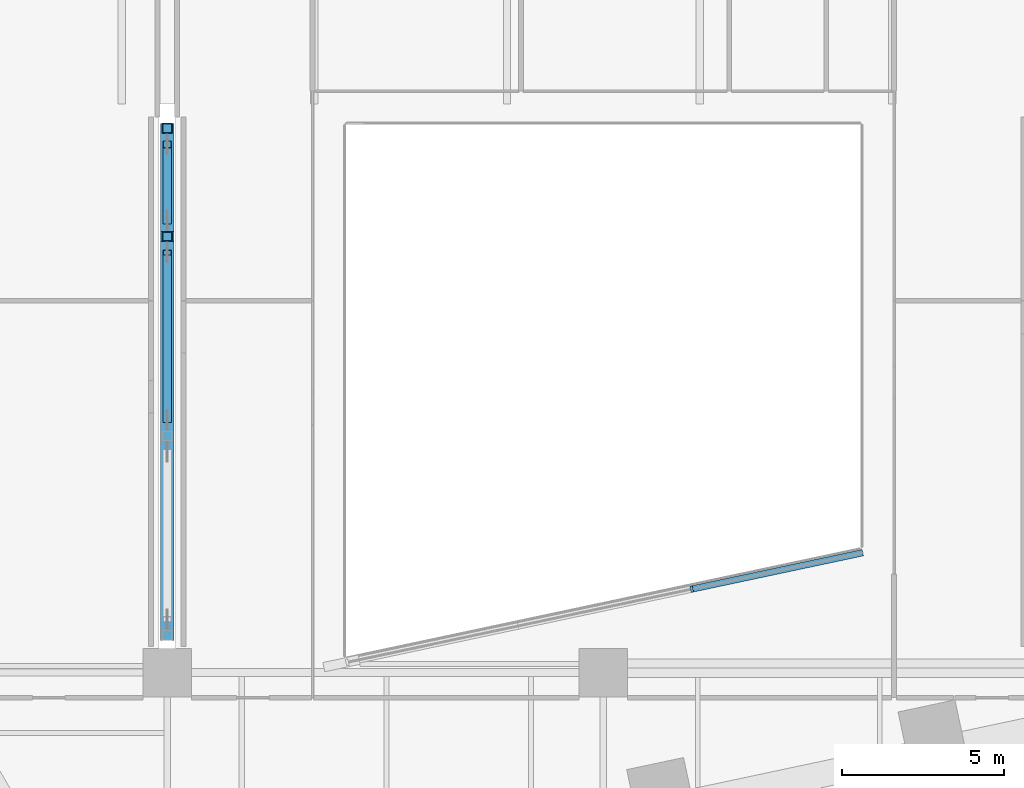
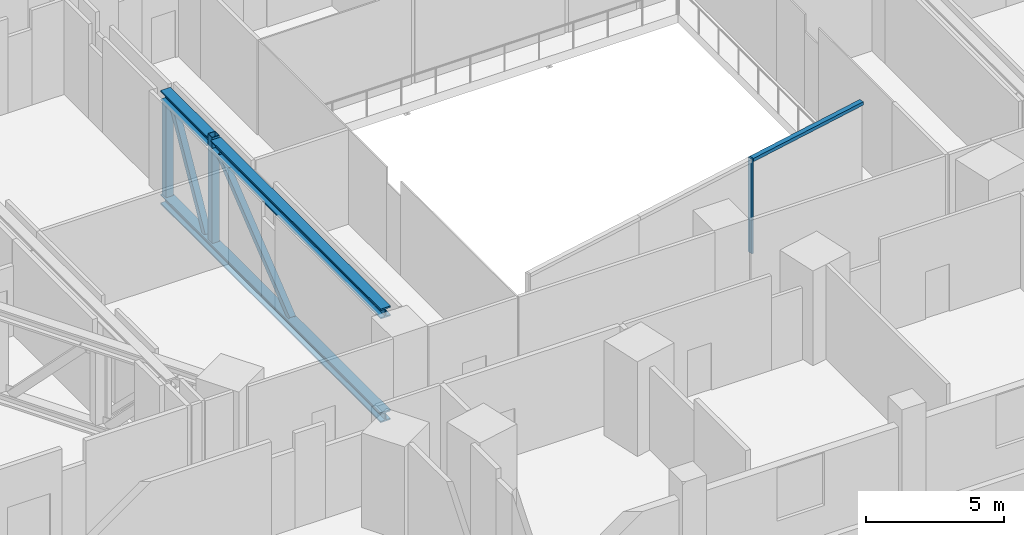
# One storey, part 4 of 32: 9 members, 1 element without a shape of its own.
"""IFC4 building model written with IfcOpenShell, lengths in metres."""

from ifc_helpers import new_model, si_unit, direction, frame, origin, origin_2d, place, context, subcontext, project, spatial, rectangle, hollow_rectangle, i_section, extrude, material, layer, layer_set, material_profile, profile_set, type_object, element, aggregate, save


model = new_model("IFC4")

# Units and contexts
model_context = context("Model", 3, precision=1e-05, world=origin(), true_north=direction((0.0, 1.0)))
body_context = subcontext(model_context, "Body", "Model", "MODEL_VIEW")
ifc_project = project(units=[si_unit("LENGTHUNIT", "METRE"), si_unit("AREAUNIT", "SQUARE_METRE"), si_unit("VOLUMEUNIT", "CUBIC_METRE"), si_unit("PLANEANGLEUNIT", "RADIAN"), si_unit("MASSUNIT", "GRAM", prefix="KILO")], contexts=[model_context])

# Site, building, storey
site_placement = place(None, origin())
site = spatial("IfcSite", under=ifc_project, at=site_placement, CompositionType="ELEMENT")
building_placement = place(site_placement, origin())
building = spatial("IfcBuilding", under=site, at=building_placement, Name="Isthmus Gate Tower", CompositionType="ELEMENT")
storey_placement = place(building_placement, frame((0.0, 0.0, 18.0)))
storey = spatial("IfcBuildingStorey", under=building, at=storey_placement, Name="L02", CompositionType="ELEMENT", Elevation=18.0)

# Curtain wall, members
ifc_material_1 = material(Name="Aluminium, pale champagne anodised", Category="aluminium")
ifc_layer = layer(ifc_material_1, 0.199951171875)
ifc_layer_set = layer_set([ifc_layer], Name="CW-4 ATRIUM CURTAIN WALL 200 DEEP")
curtain_wall_type = type_object("IfcCurtainWallType", Name="CW-4 ATRIUM CURTAIN WALL 200 DEEP", PredefinedType="NOTDEFINED", material=ifc_layer_set)
curtain_wall_placement = place(storey_placement, origin())
curtain_wall = element("IfcCurtainWall", 1, at=curtain_wall_placement, inside=storey, type_object=curtain_wall_type, Name="CW-4 atrium south L02", PredefinedType="NOTDEFINED")
ifc_material_2 = material(Name="Aluminium, pale champagne anodised", Category="aluminium")
ifc_material_profile_1 = material_profile(ifc_material_2, rectangle(XDim=0.080078125, YDim=0.199951171875, at=origin_2d()), Name="80x200")
ifc_profile_set_1 = profile_set([ifc_material_profile_1], Name="Aluminium, pale champagne anodised")
member_type_1 = type_object("IfcMemberType", Name="CW-4 MULLION 80 X 200", PredefinedType="MULLION", material=ifc_profile_set_1)
member_1_placement = place(storey_placement, frame((2.737060546875, -24.415283203125, 0.0), z_axis=(0.0, 0.0, 1.0), x_axis=(0.978147600734, 0.207911690818, 0.0)))
member_1 = element("IfcMember", 2, at=member_1_placement, type_object=member_type_1, Name="CW-4 mullion", PredefinedType="MULLION", context=body_context, shape_type="SweptSolid", body=[
    extrude(rectangle(XDim=0.080078125, YDim=0.199951171875, at=origin_2d()), origin(), (0.0, 0.0, 1.0), 4.199951171875),
])
ifc_material_3 = material(Name="Aluminium, pale champagne anodised", Category="aluminium")
ifc_material_profile_2 = material_profile(ifc_material_3, rectangle(XDim=0.199951171875, YDim=0.14990234375, at=origin_2d()), Name="200x150")
ifc_profile_set_2 = profile_set([ifc_material_profile_2], Name="Aluminium, pale champagne anodised")
member_type_2 = type_object("IfcMemberType", Name="CW-4 TRANSOM 200 X 150", PredefinedType="USERDEFINED", material=ifc_profile_set_2)
member_2_placement = place(storey_placement, frame((2.776123046875, -24.406982421875, 4.125), z_axis=(0.978140946274, 0.207942995129, 0.0), x_axis=(-0.207942995129, 0.978140946274, 0.0)))
member_2 = element("IfcMember", 3, at=member_2_placement, type_object=member_type_2, Name="CW-4 transom", ObjectType="TRANSOM", PredefinedType="USERDEFINED", context=body_context, shape_type="SweptSolid", body=[
    extrude(rectangle(XDim=0.199951171875, YDim=0.14990234375, at=origin_2d()), origin(), (0.0, 0.0, 1.0), 5.37255859375),
])
aggregate(curtain_wall, [member_1, member_2])

# Members
ifc_material_4 = material(Name="Structural steel ASTM A913 Gr 65", Category="steel")
ifc_material_profile_3 = material_profile(ifc_material_4, i_section(OverallWidth=0.416015625, OverallDepth=0.444580078125, WebThickness=0.039794921875, FlangeThickness=0.0634765625, at=origin_2d()), Name="W14X342")
ifc_profile_set_3 = profile_set([ifc_material_profile_3], Name="Structural steel ASTM A913 Gr 65")
member_type_3 = type_object("IfcMemberType", Name="TRANSFER TRUSS CHORD W14X342", PredefinedType="CHORD", material=ifc_profile_set_3)
member_3_placement = place(storey_placement, frame((-13.5, -26.0, -0.622314453125), z_axis=(0.0, 1.0, 0.0), x_axis=(-1.0, 0.0, 0.0)))
element("IfcMember", 4, at=member_3_placement, inside=storey, type_object=member_type_3, Name="str-xtruss05-L02-05", PredefinedType="CHORD", context=body_context, shape_type="SweptSolid", body=[
    extrude(i_section(OverallWidth=0.416015625, OverallDepth=0.444580078125, WebThickness=0.039794921875, FlangeThickness=0.0634765625, at=origin_2d()), origin(), (0.0, 0.0, 1.0), 16.0),
])
member_4_placement = place(storey_placement, frame((-13.5, -26.0, 3.977783203125), z_axis=(0.0, 1.0, 0.0), x_axis=(-1.0, 0.0, 0.0)))
element("IfcMember", 5, at=member_4_placement, inside=storey, type_object=member_type_3, Name="str-xtruss05-L02-06", PredefinedType="CHORD", context=body_context, shape_type="SweptSolid", body=[
    extrude(i_section(OverallWidth=0.416015625, OverallDepth=0.444580078125, WebThickness=0.039794921875, FlangeThickness=0.0634765625, at=origin_2d()), origin(), (0.0, 0.0, 1.0), 12.34765625),
])
member_5_placement = place(storey_placement, frame((-13.5, -13.34765625, 3.977783203125), z_axis=(0.0, 1.0, 0.0), x_axis=(-1.0, 0.0, 0.0)))
element("IfcMember", 6, at=member_5_placement, inside=storey, type_object=member_type_3, Name="str-xtruss05-L02-07", PredefinedType="CHORD", context=body_context, shape_type="SweptSolid", body=[
    extrude(i_section(OverallWidth=0.416015625, OverallDepth=0.444580078125, WebThickness=0.039794921875, FlangeThickness=0.0634765625, at=origin_2d()), origin(), (0.0, 0.0, 1.0), 3.34765625),
])
ifc_material_5 = material(Name="Structural steel ASTM A500 Gr C", Category="steel")
ifc_material_profile_4 = material_profile(ifc_material_5, hollow_rectangle(XDim=0.25390625, YDim=0.25390625, WallThickness=0.01171875, at=origin_2d()), Name="HSS10X10X1/2")
ifc_profile_set_4 = profile_set([ifc_material_profile_4], Name="Structural steel ASTM A500 Gr C")
member_type_4 = type_object("IfcMemberType", Name="TRANSFER TRUSS DIAGONAL HSS10X10X1/2", PredefinedType="BRACE", material=ifc_profile_set_4)
member_6_placement = place(storey_placement, frame((-13.5, -19.175048828125, -0.39990234375), z_axis=(0.0, 0.779729873753, 0.626116062705), x_axis=(-1.0, 0.0, 0.0)))
element("IfcMember", 7, at=member_6_placement, inside=storey, type_object=member_type_4, Name="str-xtruss05-L02-09", PredefinedType="BRACE", context=body_context, shape_type="SweptSolid", body=[
    extrude(hollow_rectangle(XDim=0.25390625, YDim=0.25390625, WallThickness=0.01171875, at=origin_2d()), origin(), (0.0, 0.0, 1.0), 6.636962890625),
])
member_7_placement = place(storey_placement, frame((-13.5, -13.0, -0.39990234375), z_axis=(0.0, 0.492267880918, 0.870443756607), x_axis=(-1.0, 0.0, 0.0)))
element("IfcMember", 8, at=member_7_placement, inside=storey, type_object=member_type_4, Name="str-xtruss05-L02-10", PredefinedType="BRACE", context=body_context, shape_type="SweptSolid", body=[
    extrude(hollow_rectangle(XDim=0.25390625, YDim=0.25390625, WallThickness=0.01171875, at=origin_2d()), origin(), (0.0, 0.0, 1.0), 4.77392578125),
])
ifc_material_6 = material(Name="Structural steel ASTM A500 Gr C", Category="steel")
ifc_material_profile_5 = material_profile(ifc_material_6, hollow_rectangle(XDim=0.3046875, YDim=0.3046875, WallThickness=0.014892578125, at=origin_2d()), Name="HSS12X12X5/8")
ifc_profile_set_5 = profile_set([ifc_material_profile_5], Name="Structural steel ASTM A500 Gr C")
member_type_5 = type_object("IfcMemberType", Name="TRANSFER TRUSS POST HSS12X12X5/8", PredefinedType="POST", material=ifc_profile_set_5)
member_8_placement = place(storey_placement, frame((-13.5, -13.5, -0.39990234375), z_axis=(0.0, 0.0, 1.0), x_axis=(1.0, 0.0, 0.0)))
element("IfcMember", 9, at=member_8_placement, inside=storey, type_object=member_type_5, Name="str-xtruss05-L02-03", PredefinedType="POST", context=body_context, shape_type="SweptSolid", body=[
    extrude(hollow_rectangle(XDim=0.3046875, YDim=0.3046875, WallThickness=0.014892578125, at=origin_2d()), origin(), (0.0, 0.0, 1.0), 4.699951171875),
])
member_9_placement = place(storey_placement, frame((-13.5, -10.14990234375, -0.39990234375), z_axis=(0.0, 0.0, 1.0), x_axis=(1.0, 0.0, 0.0)))
element("IfcMember", 10, at=member_9_placement, inside=storey, type_object=member_type_5, Name="str-xtruss05-L02-04", PredefinedType="POST", context=body_context, shape_type="SweptSolid", body=[
    extrude(hollow_rectangle(XDim=0.3046875, YDim=0.3046875, WallThickness=0.014892578125, at=origin_2d()), origin(), (0.0, 0.0, 1.0), 4.155517578125),
])

save(model, "model.ifc")
